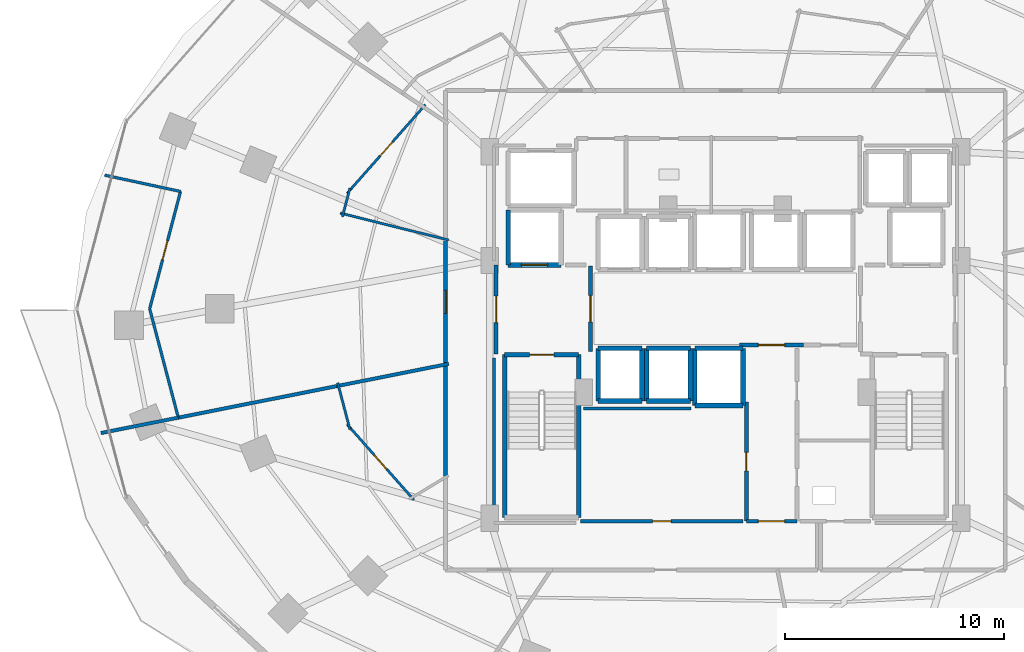
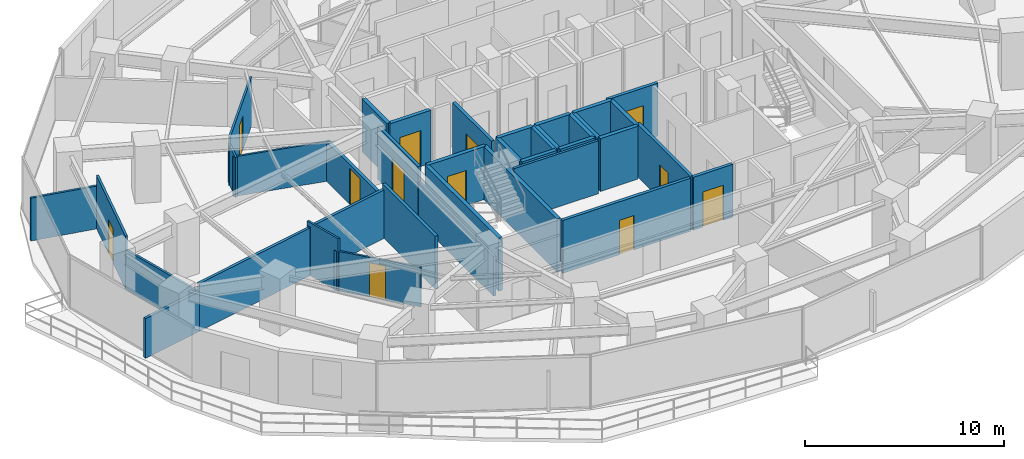
# One storey, part 26 of 33: 38 walls, 12 doors, 12 openings.
"""IFC4 building model written with IfcOpenShell, lengths in metres."""

from ifc_helpers import new_model, si_unit, direction, frame, frame_2d, origin, place, context, subcontext, project, spatial, rectangle, extrude, material, layer, layer_set, type_object, element, fill, save


model = new_model("IFC4")

# Units and contexts
model_context = context("Model", 3, precision=1e-05, world=origin(), true_north=direction((0.0, 1.0)))
body_context = subcontext(model_context, "Body", "Model", "MODEL_VIEW")
ifc_project = project(units=[si_unit("LENGTHUNIT", "METRE"), si_unit("AREAUNIT", "SQUARE_METRE"), si_unit("VOLUMEUNIT", "CUBIC_METRE"), si_unit("PLANEANGLEUNIT", "RADIAN"), si_unit("MASSUNIT", "GRAM", prefix="KILO")], contexts=[model_context])

# Site, building, storey
site_placement = place(None, origin())
site = spatial("IfcSite", under=ifc_project, at=site_placement, CompositionType="ELEMENT")
building_placement = place(site_placement, origin())
building = spatial("IfcBuilding", under=site, at=building_placement, Name="Vorneva Point Tower", CompositionType="ELEMENT")
storey_placement = place(building_placement, frame((0.0, 0.0, 38.0)))
storey = spatial("IfcBuildingStorey", under=building, at=storey_placement, Name="L09", CompositionType="ELEMENT", Elevation=38.0)

# Wall, opening, door
ifc_material_1 = material(Name="Concrete B60 (C50/60)", Category="concrete")
ifc_layer_1 = layer(ifc_material_1, 0.5)
ifc_layer_set_1 = layer_set([ifc_layer_1], Name="Concrete B60 (C50/60)")
wall_type_1 = type_object("IfcWallType", Name="WL-CORE-500", PredefinedType="SHEAR", material=ifc_layer_set_1)
wall_1_placement = place(storey_placement, frame((28.10009765625, 28.0, 0.0), z_axis=(0.0, 0.0, 1.0), x_axis=(1.0, 0.0, 0.0)))
wall_1 = element("IfcWall", 1, at=wall_1_placement, inside=storey, type_object=wall_type_1, Name="L09 Lift FFL1 Shaft Wall -Y", PredefinedType="SHEAR", context=body_context, shape_type="SweptSolid", body=[
    extrude(rectangle(XDim=2.39990234375, YDim=0.219970703125, at=frame_2d((1.199951171875, 0.0))), origin(), (0.0, 0.0, 1.0), 3.239990234375),
])
opening_1_placement = place(wall_1_placement, frame((0.60009765625, 0.0, 0.0)))
opening_1 = element("IfcOpeningElement", 2, at=opening_1_placement, cuts=wall_1, Name="Opening LD-02", PredefinedType="OPENING", context=body_context, shape_type="SweptSolid", body=[
    extrude(rectangle(XDim=1.199951171875, YDim=2.199951171875, at=frame_2d((0.60009765625, 1.10009765625))), frame((0.0, 0.125, 0.0), z_axis=(0.0, -1.0, 0.0), x_axis=(1.0, 0.0, 0.0)), (0.0, 0.0, 1.0), 0.249755859375),
])
ifc_material_2 = material(Name="Brushed stainless steel S304", Category="steel")
door_type_1 = type_object("IfcDoorType", Name="LD-FIRE-1200", OperationType="SLIDING_TO_LEFT", PredefinedType="DOOR", material=ifc_material_2)
door_1_placement = place(opening_1_placement, origin())
door_1 = element("IfcDoor", 3, at=door_1_placement, inside=storey, type_object=door_type_1, Name="L09 Lift FFL1 Sliding Landing Door", OperationType="SLIDING_TO_LEFT", OverallHeight=2.199951171875, OverallWidth=1.199951171875, PredefinedType="DOOR", context=body_context, shape_type="SweptSolid", body=[
    extrude(rectangle(XDim=1.199951171875, YDim=2.199951171875, at=frame_2d((0.60009765625, 1.10009765625))), frame((0.0, 0.02490234375, 0.0), z_axis=(0.0, -1.0, 0.0), x_axis=(1.0, 0.0, 0.0)), (0.0, 0.0, 1.0), 0.050048828125),
])
fill(opening_1, door_1)

# Walls
wall_2_placement = place(storey_placement, frame((28.10009765625, 30.5, 0.0), z_axis=(0.0, 0.0, 1.0), x_axis=(0.0, -1.0, 0.0)))
element("IfcWall", 4, at=wall_2_placement, inside=storey, type_object=wall_type_1, Name="L09 Lift FFL1 Shaft Wall -X", PredefinedType="SHEAR", context=body_context, shape_type="SweptSolid", body=[
    extrude(rectangle(XDim=2.5, YDim=0.219970703125, at=frame_2d((1.25, 0.0))), origin(), (0.0, 0.0, 1.0), 3.239990234375),
])
ifc_material_3 = material(Name="Fire-rated acoustic gypsum stud partition", Category="gypsum")
ifc_layer_2 = layer(ifc_material_3, 0.110107421875)
ifc_layer_set_2 = layer_set([ifc_layer_2], Name="Fire-rated acoustic gypsum stud partition")
wall_type_2 = type_object("IfcWallType", Name="WL-PART-110", PredefinedType="PARTITIONING", material=ifc_layer_set_2)
wall_3_placement = place(storey_placement, frame((25.385986328125, 29.13330078125, 0.0), z_axis=(0.0, 0.0, 1.0), x_axis=(-0.970485458541, 0.241159645796, 0.0)))
element("IfcWall", 5, at=wall_3_placement, inside=storey, type_object=wall_type_2, Name="L09 Interior Partition 071", PredefinedType="PARTITIONING", context=body_context, shape_type="SweptSolid", body=[
    extrude(rectangle(XDim=5.09423828125, YDim=0.110107421875, at=frame_2d((2.547119140625, 0.0))), origin(), (0.0, 0.0, 1.0), 2.431884765625),
])
wall_4_placement = place(storey_placement, frame((20.542236328125, 30.192626953125, 0.0), z_axis=(0.0, 0.0, 1.0), x_axis=(0.254988593673, 0.966944060997, 0.0)))
element("IfcWall", 6, at=wall_4_placement, inside=storey, type_object=wall_type_2, Name="L09 Interior Partition 072", PredefinedType="PARTITIONING", context=body_context, shape_type="SweptSolid", body=[
    extrude(rectangle(XDim=1.358642578125, YDim=0.110107421875, at=frame_2d((0.67919921875, 0.0))), origin(), (0.0, 0.0, 1.0), 2.431884765625),
])

# Wall, opening, door
wall_5_placement = place(storey_placement, frame((20.76025390625, 31.26611328125, 0.0), z_axis=(0.0, 0.0, 1.0), x_axis=(0.662087707802, 0.749426358742, 0.0)))
wall_5 = element("IfcWall", 7, at=wall_5_placement, inside=storey, type_object=wall_type_2, Name="L09 Interior Partition 073", PredefinedType="PARTITIONING", context=body_context, shape_type="SweptSolid", body=[
    extrude(rectangle(XDim=5.38671875, YDim=0.110107421875, at=frame_2d((2.693359375, 0.0))), origin(), (0.0, 0.0, 1.0), 2.971923828125),
])
opening_2_placement = place(wall_5_placement, frame((2.268310546875, 0.0, 0.0)))
opening_2 = element("IfcOpeningElement", 8, at=opening_2_placement, cuts=wall_5, Name="Opening ID-02", PredefinedType="OPENING", context=body_context, shape_type="SweptSolid", body=[
    extrude(rectangle(XDim=0.85009765625, YDim=2.10009765625, at=frame_2d((0.425048828125, 1.050048828125))), frame((0.0, 0.06982421875, 0.0), z_axis=(0.0, -1.0, 0.0), x_axis=(1.0, 0.0, 0.0)), (0.0, 0.0, 1.0), 0.139892578125),
])
ifc_material_4 = material(Name="Engineered oak fire-rated door leaf", Category="wood")
door_type_2 = type_object("IfcDoorType", Name="DR-BATH-850", OperationType="NOTDEFINED", PredefinedType="DOOR", material=ifc_material_4)
door_2_placement = place(opening_2_placement, origin())
door_2 = element("IfcDoor", 9, at=door_2_placement, inside=storey, type_object=door_type_2, Name="L09 Door Executive Suite L09-04 / En-Suite Bathroom L09-04", OperationType="SINGLE_SWING_LEFT", OverallHeight=2.10009765625, OverallWidth=0.85009765625, PredefinedType="DOOR", context=body_context, shape_type="SweptSolid", body=[
    extrude(rectangle(XDim=0.85009765625, YDim=2.10009765625, at=frame_2d((0.425048828125, 1.050048828125))), frame((0.0, 0.02490234375, 0.0), z_axis=(0.0, -1.0, 0.0), x_axis=(1.0, 0.0, 0.0)), (0.0, 0.0, 1.0), 0.050048828125),
])
fill(opening_2, door_2)

wall_6_placement = place(storey_placement, frame((23.8017578125, 17.291015625, 0.0), z_axis=(0.0, 0.0, 1.0), x_axis=(-0.662071486681, 0.74944068913, 0.0)))
wall_6 = element("IfcWall", 10, at=wall_6_placement, inside=storey, type_object=wall_type_2, Name="L09 Interior Partition 081", PredefinedType="PARTITIONING", context=body_context, shape_type="SweptSolid", body=[
    extrude(rectangle(XDim=4.593994140625, YDim=0.110107421875, at=frame_2d((2.296875, 0.0))), origin(), (0.0, 0.0, 1.0), 2.431884765625),
])
opening_3_placement = place(wall_6_placement, frame((1.871826171875, 0.0, 0.0)))
opening_3 = element("IfcOpeningElement", 11, at=opening_3_placement, cuts=wall_6, Name="Opening ID-02", PredefinedType="OPENING", context=body_context, shape_type="SweptSolid", body=[
    extrude(rectangle(XDim=0.85009765625, YDim=2.10009765625, at=frame_2d((0.425048828125, 1.050048828125))), frame((0.0, 0.06982421875, 0.0), z_axis=(0.0, -1.0, 0.0), x_axis=(1.0, 0.0, 0.0)), (0.0, 0.0, 1.0), 0.139892578125),
])
door_3_placement = place(opening_3_placement, origin())
door_3 = element("IfcDoor", 12, at=door_3_placement, inside=storey, type_object=door_type_2, Name="L09 Door Corner Suite L09-05 / En-Suite Bathroom L09-05", OperationType="SINGLE_SWING_LEFT", OverallHeight=2.10009765625, OverallWidth=0.85009765625, PredefinedType="DOOR", context=body_context, shape_type="SweptSolid", body=[
    extrude(rectangle(XDim=0.85009765625, YDim=2.10009765625, at=frame_2d((0.425048828125, 1.050048828125))), frame((0.0, 0.02490234375, 0.0), z_axis=(0.0, -1.0, 0.0), x_axis=(1.0, 0.0, 0.0)), (0.0, 0.0, 1.0), 0.050048828125),
])
fill(opening_3, door_3)

# Walls
wall_7_placement = place(storey_placement, frame((20.888671875, 20.49365234375, 0.0), z_axis=(0.0, 0.0, 1.0), x_axis=(-0.254389812051, 0.967101764823, 0.0)))
element("IfcWall", 13, at=wall_7_placement, inside=storey, type_object=wall_type_2, Name="L09 Interior Partition 082", PredefinedType="PARTITIONING", context=body_context, shape_type="SweptSolid", body=[
    extrude(rectangle(XDim=2.206298828125, YDim=0.110107421875, at=frame_2d((1.10302734375, 0.0))), origin(), (0.0, 0.0, 1.0), 3.239990234375),
])
ifc_layer_3 = layer(ifc_material_3, 0.125)
ifc_layer_set_3 = layer_set([ifc_layer_3], Name="Fire-rated acoustic gypsum stud partition")
wall_type_3 = type_object("IfcWallType", Name="WL-PART-125", PredefinedType="PARTITIONING", material=ifc_layer_set_3)
wall_8_placement = place(storey_placement, frame((9.712890625, 32.090087890625, 0.0), z_axis=(0.0, 0.0, 1.0), x_axis=(0.977615913399, -0.210397542448, 0.0)))
element("IfcWall", 14, at=wall_8_placement, inside=storey, type_object=wall_type_3, Name="L09 Interior Partition 074", PredefinedType="PARTITIONING", context=body_context, shape_type="SweptSolid", body=[
    extrude(rectangle(XDim=3.5322265625, YDim=0.125, at=frame_2d((1.76611328125, 0.0))), origin(), (0.0, 0.0, 1.0), 2.6240234375),
])

# Wall, opening, door
wall_9_placement = place(storey_placement, frame((13.166015625, 31.346923828125, 0.0), z_axis=(0.0, 0.0, 1.0), x_axis=(-0.25431071056, -0.967122568496, 0.0)))
wall_9 = element("IfcWall", 15, at=wall_9_placement, inside=storey, type_object=wall_type_3, Name="L09 Interior Partition 075", PredefinedType="PARTITIONING", context=body_context, shape_type="SweptSolid", body=[
    extrude(rectangle(XDim=5.52880859375, YDim=0.125, at=frame_2d((2.764404296875, 0.0))), origin(), (0.0, 0.0, 1.0), 3.239990234375),
])
opening_4_placement = place(wall_9_placement, frame((2.314453125, 0.0, 0.0)))
opening_4 = element("IfcOpeningElement", 16, at=opening_4_placement, cuts=wall_9, Name="Opening ID-01", PredefinedType="OPENING", context=body_context, shape_type="SweptSolid", body=[
    extrude(rectangle(XDim=0.89990234375, YDim=2.10009765625, at=frame_2d((0.449951171875, 1.050048828125))), frame((0.0, 0.077392578125, 0.0), z_axis=(0.0, -1.0, 0.0), x_axis=(1.0, 0.0, 0.0)), (0.0, 0.0, 1.0), 0.15478515625),
])
door_type_3 = type_object("IfcDoorType", Name="DR-ROOM-900", OperationType="NOTDEFINED", PredefinedType="DOOR", material=ifc_material_4)
door_4_placement = place(opening_4_placement, origin())
door_4 = element("IfcDoor", 17, at=door_4_placement, inside=storey, type_object=door_type_3, Name="L09 Door Executive Suite L09-04 / Suite Sitting Study L09-04", OperationType="SINGLE_SWING_RIGHT", OverallHeight=2.10009765625, OverallWidth=0.89990234375, PredefinedType="DOOR", context=body_context, shape_type="SweptSolid", body=[
    extrude(rectangle(XDim=0.89990234375, YDim=2.10009765625, at=frame_2d((0.449951171875, 1.050048828125))), frame((0.0, 0.02490234375, 0.0), z_axis=(0.0, -1.0, 0.0), x_axis=(1.0, 0.0, 0.0)), (0.0, 0.0, 1.0), 0.050048828125),
])
fill(opening_4, door_4)

# Walls
wall_10_placement = place(storey_placement, frame((11.760009765625, 26.0, 0.0), z_axis=(0.0, 0.0, 1.0), x_axis=(0.254434720755, -0.967089950767, 0.0)))
element("IfcWall", 18, at=wall_10_placement, inside=storey, type_object=wall_type_3, Name="L09 Interior Partition 076", PredefinedType="PARTITIONING", context=body_context, shape_type="SweptSolid", body=[
    extrude(rectangle(XDim=5.128662109375, YDim=0.125, at=frame_2d((2.564453125, 0.0))), origin(), (0.0, 0.0, 1.0), 2.431884765625),
])
ifc_layer_4 = layer(ifc_material_3, 0.139892578125)
ifc_layer_set_4 = layer_set([ifc_layer_4], Name="Fire-rated acoustic gypsum stud partition")
wall_type_4 = type_object("IfcWallType", Name="WL-PART-140", PredefinedType="PARTITIONING", material=ifc_layer_set_4)
wall_11_placement = place(storey_placement, frame((36.43896484375, 21.449951171875, 0.0), z_axis=(0.0, 0.0, 1.0), x_axis=(-1.0, 0.0, 0.0)))
element("IfcWall", 19, at=wall_11_placement, inside=storey, type_object=wall_type_4, Name="L09 Interior Closure Partition 093", PredefinedType="PARTITIONING", context=body_context, shape_type="SweptSolid", body=[
    extrude(rectangle(XDim=4.908935546875, YDim=0.139892578125, at=frame_2d((2.45458984375, 0.0))), origin(), (0.0, 0.0, 1.0), 3.239990234375),
])
wall_12_placement = place(storey_placement, frame((27.449951171875, 16.239990234375, 0.0), z_axis=(0.0, 0.0, 1.0), x_axis=(0.0, 1.0, 0.0)))
element("IfcWall", 20, at=wall_12_placement, inside=storey, type_object=wall_type_4, Name="L09 Interior Closure Partition 099", PredefinedType="PARTITIONING", context=body_context, shape_type="SweptSolid", body=[
    extrude(rectangle(XDim=7.513916015625, YDim=0.139892578125, at=frame_2d((3.7568359375, 0.0))), origin(), (0.0, 0.0, 1.0), 2.431884765625),
])
ifc_layer_5 = layer(ifc_material_3, 0.159912109375)
ifc_layer_set_5 = layer_set([ifc_layer_5], Name="Fire-rated acoustic gypsum stud partition")
wall_type_5 = type_object("IfcWallType", Name="WL-PART-160", PredefinedType="PARTITIONING", material=ifc_layer_set_5)
wall_13_placement = place(storey_placement, frame((13.06494140625, 21.0400390625, 0.0), z_axis=(0.0, 0.0, 1.0), x_axis=(0.980774220135, 0.195145917502, 0.0)))
element("IfcWall", 21, at=wall_13_placement, inside=storey, type_object=wall_type_5, Name="L09 Interior Partition 077", PredefinedType="PARTITIONING", context=body_context, shape_type="SweptSolid", body=[
    extrude(rectangle(XDim=7.50146484375, YDim=0.159912109375, at=frame_2d((3.750732421875, 0.0))), origin(), (0.0, 0.0, 1.0), 2.922119140625),
])
wall_14_placement = place(storey_placement, frame((20.284912109375, 22.476318359375, 0.0), z_axis=(0.0, 0.0, 1.0), x_axis=(0.980785905074, 0.195087181559, 0.0)))
element("IfcWall", 22, at=wall_14_placement, inside=storey, type_object=wall_type_5, Name="L09 Interior Partition 078", PredefinedType="PARTITIONING", context=body_context, shape_type="SweptSolid", body=[
    extrude(rectangle(XDim=5.2021484375, YDim=0.159912109375, at=frame_2d((2.60107421875, 0.0))), origin(), (0.0, 0.0, 1.0), 2.971923828125),
])
wall_15_placement = place(storey_placement, frame((9.541015625, 20.339111328125, 0.0), z_axis=(0.0, 0.0, 1.0), x_axis=(0.980786594985, 0.195083713053, 0.0)))
element("IfcWall", 23, at=wall_15_placement, inside=storey, type_object=wall_type_5, Name="L09 Interior Partition 079", PredefinedType="PARTITIONING", context=body_context, shape_type="SweptSolid", body=[
    extrude(rectangle(XDim=3.593017578125, YDim=0.159912109375, at=frame_2d((1.79638671875, 0.0))), origin(), (0.0, 0.0, 1.0), 2.431884765625),
])

# Wall, opening, door
ifc_material_5 = material(Name="Autoclaved aerated concrete blockwork", Category="masonry")
ifc_layer_6 = layer(ifc_material_5, 0.179931640625)
ifc_layer_set_6 = layer_set([ifc_layer_6], Name="Autoclaved aerated concrete blockwork")
wall_type_6 = type_object("IfcWallType", Name="WL-PART-180", PredefinedType="PARTITIONING", material=ifc_layer_set_6)
wall_16_placement = place(storey_placement, frame((31.85009765625, 24.044921875, 0.0), z_axis=(0.0, 0.0, 1.0), x_axis=(0.0, 1.0, 0.0)))
wall_16 = element("IfcWall", 24, at=wall_16_placement, inside=storey, type_object=wall_type_6, Name="L09 Interior Partition 001", PredefinedType="PARTITIONING", context=body_context, shape_type="SweptSolid", body=[
    extrude(rectangle(XDim=3.91015625, YDim=0.179931640625, at=frame_2d((1.955078125, 0.0))), origin(), (0.0, 0.0, 1.0), 3.239990234375),
])
opening_5_placement = place(wall_16_placement, frame((1.35498046875, 0.0, 0.0)))
opening_5 = element("IfcOpeningElement", 25, at=opening_5_placement, cuts=wall_16, Name="Opening FD-02", PredefinedType="OPENING", context=body_context, shape_type="SweptSolid", body=[
    extrude(rectangle(XDim=1.199951171875, YDim=2.14990234375, at=frame_2d((0.60009765625, 1.074951171875))), frame((0.0, 0.10498046875, 0.0), z_axis=(0.0, -1.0, 0.0), x_axis=(1.0, 0.0, 0.0)), (0.0, 0.0, 1.0), 0.209716796875),
])
ifc_material_6 = material(Name="Fire-rated powder-coated steel", Category="steel")
door_type_4 = type_object("IfcDoorType", Name="DR-FFL-1200", OperationType="NOTDEFINED", PredefinedType="DOOR", material=ifc_material_6)
door_5_placement = place(opening_5_placement, origin())
door_5 = element("IfcDoor", 26, at=door_5_placement, inside=storey, type_object=door_type_4, Name="L09 Door West Firefighting Lobby / Central Lift Lobby", OperationType="SINGLE_SWING_RIGHT", OverallHeight=2.14990234375, OverallWidth=1.199951171875, PredefinedType="DOOR", context=body_context, shape_type="SweptSolid", body=[
    extrude(rectangle(XDim=1.199951171875, YDim=2.14990234375, at=frame_2d((0.60009765625, 1.074951171875))), frame((0.0, 0.02490234375, 0.0), z_axis=(0.0, -1.0, 0.0), x_axis=(1.0, 0.0, 0.0)), (0.0, 0.0, 1.0), 0.050048828125),
])
fill(opening_5, door_5)

wall_17_placement = place(storey_placement, frame((27.550048828125, 28.0, 0.0), z_axis=(0.0, 0.0, 1.0), x_axis=(0.0, -1.0, 0.0)))
wall_17 = element("IfcWall", 27, at=wall_17_placement, inside=storey, type_object=wall_type_6, Name="L09 Interior Partition 002", PredefinedType="PARTITIONING", context=body_context, shape_type="SweptSolid", body=[
    extrude(rectangle(XDim=4.050048828125, YDim=0.179931640625, at=frame_2d((2.02490234375, 0.0))), origin(), (0.0, 0.0, 1.0), 3.239990234375),
])
opening_6_placement = place(wall_17_placement, frame((1.425048828125, 0.0, 0.0)))
opening_6 = element("IfcOpeningElement", 28, at=opening_6_placement, cuts=wall_17, Name="Opening FD-02", PredefinedType="OPENING", context=body_context, shape_type="SweptSolid", body=[
    extrude(rectangle(XDim=1.199951171875, YDim=2.14990234375, at=frame_2d((0.60009765625, 1.074951171875))), frame((0.0, 0.10498046875, 0.0), z_axis=(0.0, -1.0, 0.0), x_axis=(1.0, 0.0, 0.0)), (0.0, 0.0, 1.0), 0.209716796875),
])
door_6_placement = place(opening_6_placement, origin())
door_6 = element("IfcDoor", 29, at=door_6_placement, inside=storey, type_object=door_type_4, Name="L09 Door West Firefighting Lobby / L09 Circulation Corridor", OperationType="SINGLE_SWING_RIGHT", OverallHeight=2.14990234375, OverallWidth=1.199951171875, PredefinedType="DOOR", context=body_context, shape_type="SweptSolid", body=[
    extrude(rectangle(XDim=1.199951171875, YDim=2.14990234375, at=frame_2d((0.60009765625, 1.074951171875))), frame((0.0, 0.02490234375, 0.0), z_axis=(0.0, -1.0, 0.0), x_axis=(1.0, 0.0, 0.0)), (0.0, 0.0, 1.0), 0.050048828125),
])
fill(opening_6, door_6)

wall_18_placement = place(storey_placement, frame((38.64501953125, 24.35009765625, 0.0), z_axis=(0.0, 0.0, 1.0), x_axis=(1.0, 0.0, 0.0)))
wall_18 = element("IfcWall", 30, at=wall_18_placement, inside=storey, type_object=wall_type_6, Name="L09 Interior Partition 009", PredefinedType="PARTITIONING", context=body_context, shape_type="SweptSolid", body=[
    extrude(rectangle(XDim=2.909912109375, YDim=0.179931640625, at=frame_2d((1.455078125, 0.0))), origin(), (0.0, 0.0, 1.0), 3.239990234375),
])
opening_7_placement = place(wall_18_placement, frame((0.85498046875, 0.0, 0.0)))
opening_7 = element("IfcOpeningElement", 31, at=opening_7_placement, cuts=wall_18, Name="Opening FD-02", PredefinedType="OPENING", context=body_context, shape_type="SweptSolid", body=[
    extrude(rectangle(XDim=1.199951171875, YDim=2.14990234375, at=frame_2d((0.60009765625, 1.074951171875))), frame((0.0, 0.10498046875, 0.0), z_axis=(0.0, -1.0, 0.0), x_axis=(1.0, 0.0, 0.0)), (0.0, 0.0, 1.0), 0.209716796875),
])
door_7_placement = place(opening_7_placement, origin())
door_7 = element("IfcDoor", 32, at=door_7_placement, inside=storey, type_object=door_type_4, Name="L09 Door Central Lift Lobby / Core Service Lobby", OperationType="SINGLE_SWING_LEFT", OverallHeight=2.14990234375, OverallWidth=1.199951171875, PredefinedType="DOOR", context=body_context, shape_type="SweptSolid", body=[
    extrude(rectangle(XDim=1.199951171875, YDim=2.14990234375, at=frame_2d((0.60009765625, 1.074951171875))), frame((0.0, 0.02490234375, 0.0), z_axis=(0.0, -1.0, 0.0), x_axis=(1.0, 0.0, 0.0)), (0.0, 0.0, 1.0), 0.050048828125),
])
fill(opening_7, door_7)

wall_19_placement = place(storey_placement, frame((38.949951171875, 21.7548828125, 0.0), z_axis=(0.0, 0.0, 1.0), x_axis=(0.0, -1.0, 0.0)))
wall_19 = element("IfcWall", 33, at=wall_19_placement, inside=storey, type_object=wall_type_6, Name="L09 Interior Partition 013", PredefinedType="PARTITIONING", context=body_context, shape_type="SweptSolid", body=[
    extrude(rectangle(XDim=5.434814453125, YDim=0.179931640625, at=frame_2d((2.71728515625, 0.0))), origin(), (0.0, 0.0, 1.0), 3.239990234375),
])
opening_8_placement = place(wall_19_placement, frame((2.29248046875, 0.0, 0.0)))
opening_8 = element("IfcOpeningElement", 34, at=opening_8_placement, cuts=wall_19, Name="Opening ID-02", PredefinedType="OPENING", context=body_context, shape_type="SweptSolid", body=[
    extrude(rectangle(XDim=0.85009765625, YDim=2.10009765625, at=frame_2d((0.425048828125, 1.050048828125))), frame((0.0, 0.10498046875, 0.0), z_axis=(0.0, -1.0, 0.0), x_axis=(1.0, 0.0, 0.0)), (0.0, 0.0, 1.0), 0.209716796875),
])
door_8_placement = place(opening_8_placement, origin())
door_8 = element("IfcDoor", 35, at=door_8_placement, inside=storey, type_object=door_type_2, Name="L09 Door Core Service Lobby / Housekeeping and Linen Room", OperationType="SINGLE_SWING_LEFT", OverallHeight=2.10009765625, OverallWidth=0.85009765625, PredefinedType="DOOR", context=body_context, shape_type="SweptSolid", body=[
    extrude(rectangle(XDim=0.85009765625, YDim=2.10009765625, at=frame_2d((0.425048828125, 1.050048828125))), frame((0.0, 0.02490234375, 0.0), z_axis=(0.0, -1.0, 0.0), x_axis=(1.0, 0.0, 0.0)), (0.0, 0.0, 1.0), 0.050048828125),
])
fill(opening_8, door_8)

wall_20_placement = place(storey_placement, frame((38.949951171875, 16.320068359375, 0.0), z_axis=(0.0, 0.0, 1.0), x_axis=(1.0, 0.0, 0.0)))
wall_20 = element("IfcWall", 36, at=wall_20_placement, inside=storey, type_object=wall_type_6, Name="L09 Interior Partition 014", PredefinedType="PARTITIONING", context=body_context, shape_type="SweptSolid", body=[
    extrude(rectangle(XDim=2.300048828125, YDim=0.179931640625, at=frame_2d((1.14990234375, 0.0))), origin(), (0.0, 0.0, 1.0), 3.239990234375),
])
opening_9_placement = place(wall_20_placement, frame((0.550048828125, 0.0, 0.0)))
opening_9 = element("IfcOpeningElement", 37, at=opening_9_placement, cuts=wall_20, Name="Opening FD-02", PredefinedType="OPENING", context=body_context, shape_type="SweptSolid", body=[
    extrude(rectangle(XDim=1.199951171875, YDim=2.14990234375, at=frame_2d((0.60009765625, 1.074951171875))), frame((0.0, 0.10498046875, 0.0), z_axis=(0.0, -1.0, 0.0), x_axis=(1.0, 0.0, 0.0)), (0.0, 0.0, 1.0), 0.209716796875),
])
door_9_placement = place(opening_9_placement, origin())
door_9 = element("IfcDoor", 38, at=door_9_placement, inside=storey, type_object=door_type_4, Name="L09 Door Core Service Lobby / L09 Circulation Corridor", OperationType="SINGLE_SWING_RIGHT", OverallHeight=2.14990234375, OverallWidth=1.199951171875, PredefinedType="DOOR", context=body_context, shape_type="SweptSolid", body=[
    extrude(rectangle(XDim=1.199951171875, YDim=2.14990234375, at=frame_2d((0.60009765625, 1.074951171875))), frame((0.0, 0.02490234375, 0.0), z_axis=(0.0, -1.0, 0.0), x_axis=(1.0, 0.0, 0.0)), (0.0, 0.0, 1.0), 0.050048828125),
])
fill(opening_9, door_9)

wall_21_placement = place(storey_placement, frame((31.39990234375, 16.320068359375, 0.0), z_axis=(0.0, 0.0, 1.0), x_axis=(1.0, 0.0, 0.0)))
wall_21 = element("IfcWall", 39, at=wall_21_placement, inside=storey, type_object=wall_type_6, Name="L09 Interior Partition 021", PredefinedType="PARTITIONING", context=body_context, shape_type="SweptSolid", body=[
    extrude(rectangle(XDim=7.400146484375, YDim=0.179931640625, at=frame_2d((3.7001953125, 0.0))), origin(), (0.0, 0.0, 1.0), 3.239990234375),
])
opening_10_placement = place(wall_21_placement, frame((3.27490234375, 0.0, 0.0)))
opening_10 = element("IfcOpeningElement", 40, at=opening_10_placement, cuts=wall_21, Name="Opening ID-02", PredefinedType="OPENING", context=body_context, shape_type="SweptSolid", body=[
    extrude(rectangle(XDim=0.85009765625, YDim=2.10009765625, at=frame_2d((0.425048828125, 1.050048828125))), frame((0.0, 0.10498046875, 0.0), z_axis=(0.0, -1.0, 0.0), x_axis=(1.0, 0.0, 0.0)), (0.0, 0.0, 1.0), 0.209716796875),
])
door_10_placement = place(opening_10_placement, origin())
door_10 = element("IfcDoor", 41, at=door_10_placement, inside=storey, type_object=door_type_2, Name="L09 Door Housekeeping and Linen Room / L09 Circulation Corridor", OperationType="SINGLE_SWING_RIGHT", OverallHeight=2.10009765625, OverallWidth=0.85009765625, PredefinedType="DOOR", context=body_context, shape_type="SweptSolid", body=[
    extrude(rectangle(XDim=0.85009765625, YDim=2.10009765625, at=frame_2d((0.425048828125, 1.050048828125))), frame((0.0, 0.02490234375, 0.0), z_axis=(0.0, -1.0, 0.0), x_axis=(1.0, 0.0, 0.0)), (0.0, 0.0, 1.0), 0.050048828125),
])
fill(opening_10, door_10)

wall_22_placement = place(storey_placement, frame((25.25, 29.22900390625, 0.0), z_axis=(0.0, 0.0, 1.0), x_axis=(0.0, -1.0, 0.0)))
wall_22 = element("IfcWall", 42, at=wall_22_placement, inside=storey, type_object=wall_type_6, Name="L09 Interior Partition 031", PredefinedType="PARTITIONING", context=body_context, shape_type="SweptSolid", body=[
    extrude(rectangle(XDim=5.825927734375, YDim=0.179931640625, at=frame_2d((2.9130859375, 0.0))), origin(), (0.0, 0.0, 1.0), 2.431884765625),
])
opening_11_placement = place(wall_22_placement, frame((2.387939453125, 0.0, 0.0)))
opening_11 = element("IfcOpeningElement", 43, at=opening_11_placement, cuts=wall_22, Name="Opening UD-02", PredefinedType="OPENING", context=body_context, shape_type="SweptSolid", body=[
    extrude(rectangle(XDim=1.050048828125, YDim=2.199951171875, at=frame_2d((0.52490234375, 1.10009765625))), frame((0.0, 0.10498046875, 0.0), z_axis=(0.0, -1.0, 0.0), x_axis=(1.0, 0.0, 0.0)), (0.0, 0.0, 1.0), 0.209716796875),
])
door_type_5 = type_object("IfcDoorType", Name="DR-SUITE-1050", OperationType="NOTDEFINED", PredefinedType="DOOR", material=ifc_material_4)
door_11_placement = place(opening_11_placement, origin())
door_11 = element("IfcDoor", 44, at=door_11_placement, inside=storey, type_object=door_type_5, Name="L09 Door L09 Circulation Corridor / Executive Suite L09-04", OperationType="SINGLE_SWING_LEFT", OverallHeight=2.199951171875, OverallWidth=1.050048828125, PredefinedType="DOOR", context=body_context, shape_type="SweptSolid", body=[
    extrude(rectangle(XDim=1.050048828125, YDim=2.199951171875, at=frame_2d((0.52490234375, 1.10009765625))), frame((0.0, 0.02490234375, 0.0), z_axis=(0.0, -1.0, 0.0), x_axis=(1.0, 0.0, 0.0)), (0.0, 0.0, 1.0), 0.050048828125),
])
fill(opening_11, door_11)

# Wall
wall_23_placement = place(storey_placement, frame((25.25, 23.54296875, 0.0), z_axis=(0.0, 0.0, 1.0), x_axis=(0.0, -1.0, 0.0)))
element("IfcWall", 45, at=wall_23_placement, inside=storey, type_object=wall_type_6, Name="L09 Interior Partition 035", PredefinedType="PARTITIONING", context=body_context, shape_type="SweptSolid", body=[
    extrude(rectangle(XDim=5.299072265625, YDim=0.179931640625, at=frame_2d((2.6494140625, 0.0))), origin(), (0.0, 0.0, 1.0), 3.239990234375),
])

# Wall, opening, door
ifc_material_7 = material(Name="Concrete B50 (C40/50)", Category="concrete")
ifc_layer_7 = layer(ifc_material_7, 0.219970703125)
ifc_layer_set_7 = layer_set([ifc_layer_7], Name="Concrete B50 (C40/50)")
wall_type_7 = type_object("IfcWallType", Name="WL-SHFT-220", PredefinedType="SOLIDWALL", material=ifc_layer_set_7)
wall_24_placement = place(storey_placement, frame((27.93994140625, 23.909912109375, 0.0), z_axis=(0.0, 0.0, 1.0), x_axis=(1.0, 0.0, 0.0)))
wall_24 = element("IfcWall", 46, at=wall_24_placement, inside=storey, type_object=wall_type_7, Name="L09 Exit Stair ST1 Shaft Wall near", PredefinedType="SOLIDWALL", context=body_context, shape_type="SweptSolid", body=[
    extrude(rectangle(XDim=3.3701171875, YDim=0.219970703125, at=frame_2d((1.68505859375, 0.0))), origin(), (0.0, 0.0, 1.0), 3.239990234375),
])
opening_12_placement = place(wall_24_placement, frame((1.135009765625, 0.0, 0.0)))
opening_12 = element("IfcOpeningElement", 47, at=opening_12_placement, cuts=wall_24, Name="Opening FD-01", PredefinedType="OPENING", context=body_context, shape_type="SweptSolid", body=[
    extrude(rectangle(XDim=1.10009765625, YDim=2.14990234375, at=frame_2d((0.550048828125, 1.074951171875))), frame((0.0, 0.125, 0.0), z_axis=(0.0, -1.0, 0.0), x_axis=(1.0, 0.0, 0.0)), (0.0, 0.0, 1.0), 0.249755859375),
])
door_type_6 = type_object("IfcDoorType", Name="DR-STAIR-1100", OperationType="NOTDEFINED", PredefinedType="DOOR", material=ifc_material_6)
door_12_placement = place(opening_12_placement, origin())
door_12 = element("IfcDoor", 48, at=door_12_placement, inside=storey, type_object=door_type_6, Name="L09 Exit Stair ST1 Fire Door", OperationType="SINGLE_SWING_LEFT", OverallHeight=2.14990234375, OverallWidth=1.10009765625, PredefinedType="DOOR", context=body_context, shape_type="SweptSolid", body=[
    extrude(rectangle(XDim=1.10009765625, YDim=2.14990234375, at=frame_2d((0.550048828125, 1.074951171875))), frame((0.0, 0.02490234375, 0.0), z_axis=(0.0, -1.0, 0.0), x_axis=(1.0, 0.0, 0.0)), (0.0, 0.0, 1.0), 0.050048828125),
])
fill(opening_12, door_12)

# Walls
for number, where, z_axis, x_axis, name in (
    (49, (31.31005859375, 23.909912109375, 0.0), (0.0, 0.0, 1.0), (0.0, -1.0, 0.0), "L09 Exit Stair ST1 Shaft Wall right"),
    (50, (27.93994140625, 16.489990234375, 0.0), (0.0, 0.0, 1.0), (0.0, 1.0, 0.0), "L09 Exit Stair ST1 Shaft Wall left"),
):
    element("IfcWall", number, at=place(storey_placement, frame(where, z_axis=z_axis, x_axis=x_axis)), inside=storey, type_object=wall_type_7, Name=name, PredefinedType="SOLIDWALL", context=body_context, shape_type="SweptSolid", body=[
        extrude(rectangle(XDim=7.419921875, YDim=0.219970703125, at=frame_2d((3.7099609375, 0.0))), origin(), (0.0, 0.0, 1.0), 3.239990234375),
    ])
wall_25_placement = place(storey_placement, frame((32.199951171875, 21.800048828125, 0.0), z_axis=(0.0, 0.0, 1.0), x_axis=(1.0, 0.0, 0.0)))
element("IfcWall", 51, at=wall_25_placement, inside=storey, type_object=wall_type_7, Name="L09 Lift PL4 Shaft Wall -Y", PredefinedType="SOLIDWALL", context=body_context, shape_type="SweptSolid", body=[
    extrude(rectangle(XDim=2.0, YDim=0.219970703125, at=frame_2d((1.0, 0.0))), origin(), (0.0, 0.0, 1.0), 3.239990234375),
])
wall_26_placement = place(storey_placement, frame((34.199951171875, 21.800048828125, 0.0), z_axis=(0.0, 0.0, 1.0), x_axis=(0.0, 1.0, 0.0)))
element("IfcWall", 52, at=wall_26_placement, inside=storey, type_object=wall_type_7, Name="L09 Lift PL4 Shaft Wall +X", PredefinedType="SOLIDWALL", context=body_context, shape_type="SweptSolid", body=[
    extrude(rectangle(XDim=2.39990234375, YDim=0.219970703125, at=frame_2d((1.199951171875, 0.0))), origin(), (0.0, 0.0, 1.0), 3.239990234375),
])
wall_27_placement = place(storey_placement, frame((34.199951171875, 24.199951171875, 0.0), z_axis=(0.0, 0.0, 1.0), x_axis=(-1.0, 0.0, 0.0)))
element("IfcWall", 53, at=wall_27_placement, inside=storey, type_object=wall_type_7, Name="L09 Lift PL4 Shaft Wall +Y", PredefinedType="SOLIDWALL", context=body_context, shape_type="SweptSolid", body=[
    extrude(rectangle(XDim=2.0, YDim=0.219970703125, at=frame_2d((1.0, 0.0))), origin(), (0.0, 0.0, 1.0), 3.239990234375),
])
wall_28_placement = place(storey_placement, frame((32.199951171875, 24.199951171875, 0.0), z_axis=(0.0, 0.0, 1.0), x_axis=(0.0, -1.0, 0.0)))
element("IfcWall", 54, at=wall_28_placement, inside=storey, type_object=wall_type_7, Name="L09 Lift PL4 Shaft Wall -X", PredefinedType="SOLIDWALL", context=body_context, shape_type="SweptSolid", body=[
    extrude(rectangle(XDim=2.39990234375, YDim=0.219970703125, at=frame_2d((1.199951171875, 0.0))), origin(), (0.0, 0.0, 1.0), 3.239990234375),
])
wall_29_placement = place(storey_placement, frame((34.39990234375, 21.800048828125, 0.0), z_axis=(0.0, 0.0, 1.0), x_axis=(1.0, 0.0, 0.0)))
element("IfcWall", 55, at=wall_29_placement, inside=storey, type_object=wall_type_7, Name="L09 Lift PL5 Shaft Wall -Y", PredefinedType="SOLIDWALL", context=body_context, shape_type="SweptSolid", body=[
    extrude(rectangle(XDim=2.0, YDim=0.219970703125, at=frame_2d((1.0, 0.0))), origin(), (0.0, 0.0, 1.0), 3.239990234375),
])
wall_30_placement = place(storey_placement, frame((36.39990234375, 21.800048828125, 0.0), z_axis=(0.0, 0.0, 1.0), x_axis=(0.0, 1.0, 0.0)))
element("IfcWall", 56, at=wall_30_placement, inside=storey, type_object=wall_type_7, Name="L09 Lift PL5 Shaft Wall +X", PredefinedType="SOLIDWALL", context=body_context, shape_type="SweptSolid", body=[
    extrude(rectangle(XDim=2.39990234375, YDim=0.219970703125, at=frame_2d((1.199951171875, 0.0))), origin(), (0.0, 0.0, 1.0), 3.239990234375),
])
wall_31_placement = place(storey_placement, frame((36.39990234375, 24.199951171875, 0.0), z_axis=(0.0, 0.0, 1.0), x_axis=(-1.0, 0.0, 0.0)))
element("IfcWall", 57, at=wall_31_placement, inside=storey, type_object=wall_type_7, Name="L09 Lift PL5 Shaft Wall +Y", PredefinedType="SOLIDWALL", context=body_context, shape_type="SweptSolid", body=[
    extrude(rectangle(XDim=2.0, YDim=0.219970703125, at=frame_2d((1.0, 0.0))), origin(), (0.0, 0.0, 1.0), 3.239990234375),
])
wall_32_placement = place(storey_placement, frame((34.39990234375, 24.199951171875, 0.0), z_axis=(0.0, 0.0, 1.0), x_axis=(0.0, -1.0, 0.0)))
element("IfcWall", 58, at=wall_32_placement, inside=storey, type_object=wall_type_7, Name="L09 Lift PL5 Shaft Wall -X", PredefinedType="SOLIDWALL", context=body_context, shape_type="SweptSolid", body=[
    extrude(rectangle(XDim=2.39990234375, YDim=0.219970703125, at=frame_2d((1.199951171875, 0.0))), origin(), (0.0, 0.0, 1.0), 3.239990234375),
])
wall_33_placement = place(storey_placement, frame((36.60009765625, 21.60009765625, 0.0), z_axis=(0.0, 0.0, 1.0), x_axis=(1.0, 0.0, 0.0)))
element("IfcWall", 59, at=wall_33_placement, inside=storey, type_object=wall_type_7, Name="L09 Lift PL6 Shaft Wall -Y", PredefinedType="SOLIDWALL", context=body_context, shape_type="SweptSolid", body=[
    extrude(rectangle(XDim=2.199951171875, YDim=0.219970703125, at=frame_2d((1.10009765625, 0.0))), origin(), (0.0, 0.0, 1.0), 3.239990234375),
])
wall_34_placement = place(storey_placement, frame((38.800048828125, 21.60009765625, 0.0), z_axis=(0.0, 0.0, 1.0), x_axis=(0.0, 1.0, 0.0)))
element("IfcWall", 60, at=wall_34_placement, inside=storey, type_object=wall_type_7, Name="L09 Lift PL6 Shaft Wall +X", PredefinedType="SOLIDWALL", context=body_context, shape_type="SweptSolid", body=[
    extrude(rectangle(XDim=2.599853515625, YDim=0.219970703125, at=frame_2d((1.2998046875, 0.0))), origin(), (0.0, 0.0, 1.0), 3.239990234375),
])
wall_35_placement = place(storey_placement, frame((38.800048828125, 24.199951171875, 0.0), z_axis=(0.0, 0.0, 1.0), x_axis=(-1.0, 0.0, 0.0)))
element("IfcWall", 61, at=wall_35_placement, inside=storey, type_object=wall_type_7, Name="L09 Lift PL6 Shaft Wall +Y", PredefinedType="SOLIDWALL", context=body_context, shape_type="SweptSolid", body=[
    extrude(rectangle(XDim=2.199951171875, YDim=0.219970703125, at=frame_2d((1.10009765625, 0.0))), origin(), (0.0, 0.0, 1.0), 3.239990234375),
])
wall_36_placement = place(storey_placement, frame((36.60009765625, 24.199951171875, 0.0), z_axis=(0.0, 0.0, 1.0), x_axis=(0.0, -1.0, 0.0)))
element("IfcWall", 62, at=wall_36_placement, inside=storey, type_object=wall_type_7, Name="L09 Lift PL6 Shaft Wall -X", PredefinedType="SOLIDWALL", context=body_context, shape_type="SweptSolid", body=[
    extrude(rectangle(XDim=2.599853515625, YDim=0.219970703125, at=frame_2d((1.2998046875, 0.0))), origin(), (0.0, 0.0, 1.0), 3.239990234375),
])

save(model, "model.ifc")
